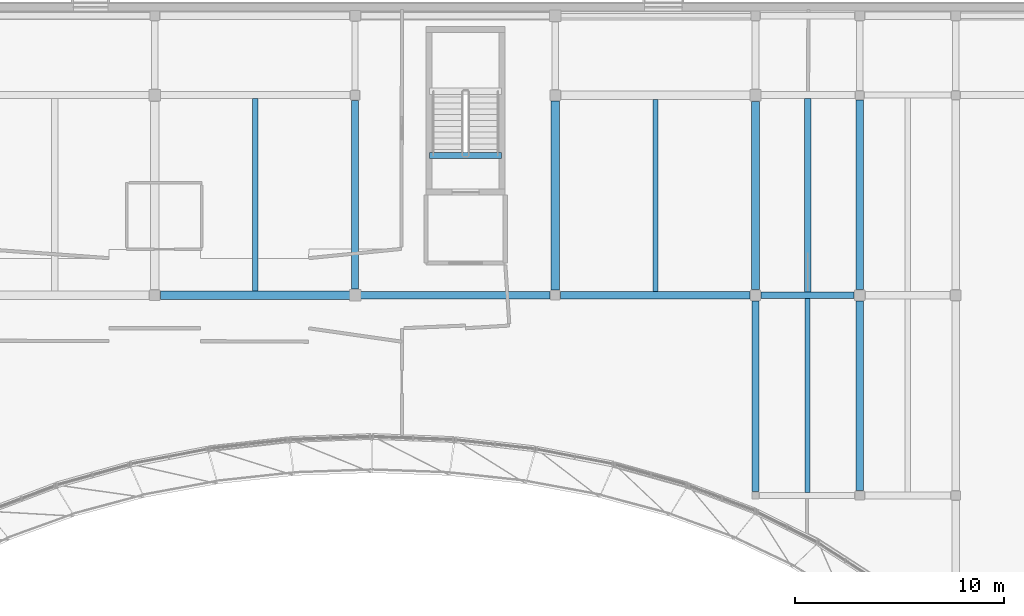
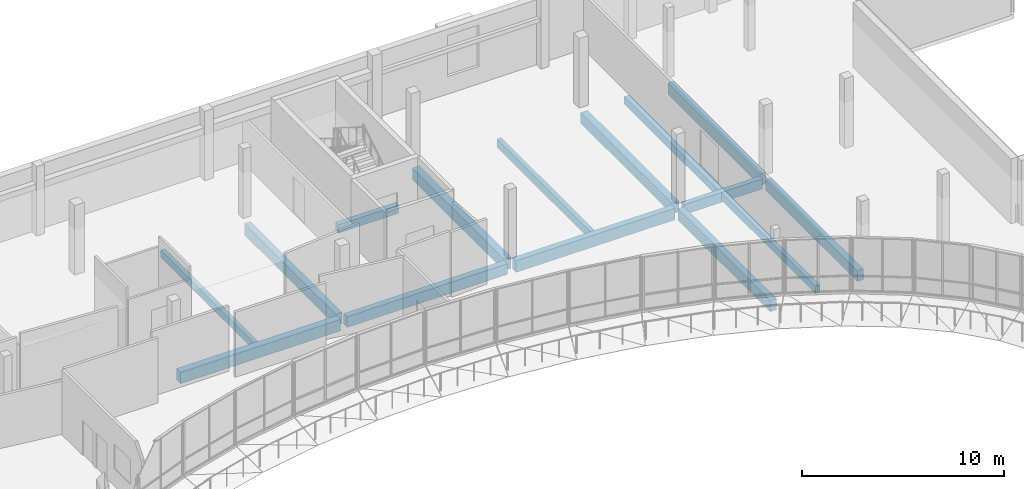
# One storey, part 25 of 73: 15 beams.
"""IFC4 building model written with IfcOpenShell, lengths in metres."""

from ifc_helpers import new_model, si_unit, direction, frame, origin, origin_2d, place, context, subcontext, project, spatial, rectangle, extrude, material, material_profile, profile_set, type_object, element, save


model = new_model("IFC4")

# Units and contexts
model_context = context("Model", 3, precision=1e-05, world=origin(), true_north=direction((0.0, 1.0)))
body_context = subcontext(model_context, "Body", "Model", "MODEL_VIEW")
ifc_project = project(units=[si_unit("LENGTHUNIT", "METRE"), si_unit("AREAUNIT", "SQUARE_METRE"), si_unit("VOLUMEUNIT", "CUBIC_METRE"), si_unit("PLANEANGLEUNIT", "RADIAN"), si_unit("MASSUNIT", "GRAM", prefix="KILO")], contexts=[model_context])

# Site, building, storey
site_placement = place(None, origin())
site = spatial("IfcSite", under=ifc_project, at=site_placement, CompositionType="ELEMENT")
building_placement = place(site_placement, origin())
building = spatial("IfcBuilding", under=site, at=building_placement, Name="Mzevani Central Library", CompositionType="ELEMENT")
storey_placement = place(building_placement, frame((0.0, 0.0, 9.60009765625)))
storey = spatial("IfcBuildingStorey", under=building, at=storey_placement, Name="L02", CompositionType="ELEMENT", Elevation=9.60009765625)

# Beams
ifc_material = material(Name="Concrete C35/45", Category="concrete")
ifc_material_profile_1 = material_profile(ifc_material, rectangle(XDim=0.300048828125, YDim=0.5, at=origin_2d()), Name="RC B300x500")
ifc_profile_set_1 = profile_set([ifc_material_profile_1], Name="Concrete C35/45")
beam_type_1 = type_object("IfcBeamType", Name="Beam RC 300x500", PredefinedType="BEAM", material=ifc_profile_set_1)
beam_1_placement = place(storey_placement, frame((86.780029296875, 106.699951171875, -0.25), z_axis=(1.0, 0.0, 0.0), x_axis=(0.0, 1.0, 0.0)))
element("IfcBeam", 1, at=beam_1_placement, inside=storey, type_object=beam_type_1, Name="L02 Core C3B Atrium East Escape Stair Stair Opening Trimmer Beam", PredefinedType="BEAM", context=body_context, shape_type="SweptSolid", body=[
    extrude(rectangle(XDim=0.300048828125, YDim=0.5, at=origin_2d()), origin(), (0.0, 0.0, 1.0), 3.43994140625),
])
ifc_material_profile_2 = material_profile(ifc_material, rectangle(XDim=0.300048828125, YDim=0.60009765625, at=origin_2d()), Name="RC B300x600")
ifc_profile_set_2 = profile_set([ifc_material_profile_2], Name="Concrete C35/45")
beam_type_2 = type_object("IfcBeamType", Name="Beam RC 300x600", PredefinedType="BEAM", material=ifc_profile_set_2)
beam_2_placement = place(storey_placement, frame((102.675048828125, 100.0, -0.580078125), z_axis=(1.0, 0.0, 0.0), x_axis=(0.0, 1.0, 0.0)))
element("IfcBeam", 2, at=beam_2_placement, inside=storey, type_object=beam_type_2, Name="L02 V3 Girder B-03 (570)", PredefinedType="BEAM", context=body_context, shape_type="SweptSolid", body=[
    extrude(rectangle(XDim=0.300048828125, YDim=0.60009765625, at=origin_2d()), origin(), (0.0, 0.0, 1.0), 4.449951171875),
])
ifc_material_profile_3 = material_profile(ifc_material, rectangle(XDim=0.35009765625, YDim=0.64990234375, at=origin_2d()), Name="RC B350x650")
ifc_profile_set_3 = profile_set([ifc_material_profile_3], Name="Concrete C35/45")
beam_type_3 = type_object("IfcBeamType", Name="Beam RC 350x650", PredefinedType="BEAM", material=ifc_profile_set_3)
beam_3_placement = place(storey_placement, frame((83.39990234375, 100.0, -0.60498046875), z_axis=(1.0, 0.0, 0.0), x_axis=(0.0, 1.0, 0.0)))
element("IfcBeam", 3, at=beam_3_placement, inside=storey, type_object=beam_type_3, Name="L02 V3 Girder B-05 (568)", PredefinedType="BEAM", context=body_context, shape_type="SweptSolid", body=[
    extrude(rectangle(XDim=0.35009765625, YDim=0.64990234375, at=origin_2d()), origin(), (0.0, 0.0, 1.0), 9.150146484375),
])
beam_4_placement = place(storey_placement, frame((107.39990234375, 90.64990234375, -0.60498046875), z_axis=(0.0, 1.0, 0.0), x_axis=(-1.0, 0.0, 0.0)))
element("IfcBeam", 4, at=beam_4_placement, inside=storey, type_object=beam_type_3, Name="L02 V3 Frame Beam B-05 (608)", PredefinedType="BEAM", context=body_context, shape_type="SweptSolid", body=[
    extrude(rectangle(XDim=0.35009765625, YDim=0.64990234375, at=origin_2d()), origin(), (0.0, 0.0, 1.0), 9.0751953125),
])
ifc_material_profile_4 = material_profile(ifc_material, rectangle(XDim=0.35009765625, YDim=0.699951171875, at=origin_2d()), Name="RC B350x700")
ifc_profile_set_4 = profile_set([ifc_material_profile_4], Name="Concrete C35/45")
beam_type_4 = type_object("IfcBeamType", Name="Beam RC 350x700", PredefinedType="BEAM", material=ifc_profile_set_4)
beam_5_placement = place(storey_placement, frame((93.050048828125, 100.0, -0.630126953125), z_axis=(1.0, 0.0, 0.0), x_axis=(0.0, 1.0, 0.0)))
element("IfcBeam", 5, at=beam_5_placement, inside=storey, type_object=beam_type_4, Name="L02 V3 Girder B-06 (569)", PredefinedType="BEAM", context=body_context, shape_type="SweptSolid", body=[
    extrude(rectangle(XDim=0.35009765625, YDim=0.699951171875, at=origin_2d()), origin(), (0.0, 0.0, 1.0), 9.074951171875),
])
beam_6_placement = place(storey_placement, frame((83.199951171875, 100.300048828125, -0.630126953125), z_axis=(0.0, 1.0, 0.0), x_axis=(-1.0, 0.0, 0.0)))
element("IfcBeam", 6, at=beam_6_placement, inside=storey, type_object=beam_type_4, Name="L02 V3 Frame Beam B-06 (601)", PredefinedType="BEAM", context=body_context, shape_type="SweptSolid", body=[
    extrude(rectangle(XDim=0.35009765625, YDim=0.699951171875, at=origin_2d()), origin(), (0.0, 0.0, 1.0), 9.050048828125),
])
beam_7_placement = place(storey_placement, frame((102.39990234375, 90.60009765625, -0.630126953125), z_axis=(0.0, 1.0, 0.0), x_axis=(-1.0, 0.0, 0.0)))
element("IfcBeam", 7, at=beam_7_placement, inside=storey, type_object=beam_type_4, Name="L02 V3 Frame Beam B-06 (605)", PredefinedType="BEAM", context=body_context, shape_type="SweptSolid", body=[
    extrude(rectangle(XDim=0.35009765625, YDim=0.699951171875, at=origin_2d()), origin(), (0.0, 0.0, 1.0), 9.125),
])
beam_8_placement = place(storey_placement, frame((107.39990234375, 100.27490234375, -0.630126953125), z_axis=(0.0, 1.0, 0.0), x_axis=(-1.0, 0.0, 0.0)))
element("IfcBeam", 8, at=beam_8_placement, inside=storey, type_object=beam_type_4, Name="L02 V3 Frame Beam B-06 (609)", PredefinedType="BEAM", context=body_context, shape_type="SweptSolid", body=[
    extrude(rectangle(XDim=0.35009765625, YDim=0.699951171875, at=origin_2d()), origin(), (0.0, 0.0, 1.0), 9.10009765625),
])
ifc_material_profile_5 = material_profile(ifc_material, rectangle(XDim=0.39990234375, YDim=0.64990234375, at=origin_2d()), Name="RC B400x650")
ifc_profile_set_5 = profile_set([ifc_material_profile_5], Name="Concrete C35/45")
beam_type_5 = type_object("IfcBeamType", Name="Beam RC 400x650", PredefinedType="BEAM", material=ifc_profile_set_5)
beam_9_placement = place(storey_placement, frame((102.39990234375, 100.27490234375, -0.60498046875), z_axis=(0.0, 1.0, 0.0), x_axis=(-1.0, 0.0, 0.0)))
element("IfcBeam", 9, at=beam_9_placement, inside=storey, type_object=beam_type_5, Name="L02 V3 Frame Beam B-07 (606)", PredefinedType="BEAM", context=body_context, shape_type="SweptSolid", body=[
    extrude(rectangle(XDim=0.39990234375, YDim=0.64990234375, at=origin_2d()), origin(), (0.0, 0.0, 1.0), 9.025146484375),
])
ifc_material_profile_6 = material_profile(ifc_material, rectangle(XDim=0.39990234375, YDim=0.699951171875, at=origin_2d()), Name="RC B400x700")
ifc_profile_set_6 = profile_set([ifc_material_profile_6], Name="Concrete C35/45")
beam_type_6 = type_object("IfcBeamType", Name="Beam RC 400x700", PredefinedType="BEAM", material=ifc_profile_set_6)
beam_10_placement = place(storey_placement, frame((73.875, 100.0, -0.630126953125), z_axis=(1.0, 0.0, 0.0), x_axis=(0.0, 1.0, 0.0)))
element("IfcBeam", 10, at=beam_10_placement, inside=storey, type_object=beam_type_6, Name="L02 V3 Girder B-08 (567)", PredefinedType="BEAM", context=body_context, shape_type="SweptSolid", body=[
    extrude(rectangle(XDim=0.39990234375, YDim=0.699951171875, at=origin_2d()), origin(), (0.0, 0.0, 1.0), 9.125),
])
beam_11_placement = place(storey_placement, frame((92.800048828125, 100.25, -0.630126953125), z_axis=(0.0, 1.0, 0.0), x_axis=(-1.0, 0.0, 0.0)))
element("IfcBeam", 11, at=beam_11_placement, inside=storey, type_object=beam_type_6, Name="L02 V3 Frame Beam B-08 (603)", PredefinedType="BEAM", context=body_context, shape_type="SweptSolid", body=[
    extrude(rectangle(XDim=0.39990234375, YDim=0.699951171875, at=origin_2d()), origin(), (0.0, 0.0, 1.0), 9.074951171875),
])
ifc_material_profile_7 = material_profile(ifc_material, rectangle(XDim=0.25, YDim=0.449951171875, at=origin_2d()), Name="RC J250x450")
ifc_profile_set_7 = profile_set([ifc_material_profile_7], Name="Concrete C35/45")
beam_type_7 = type_object("IfcBeamType", Name="Floor Joist RC 250x450", PredefinedType="JOIST", material=ifc_profile_set_7)
beam_12_placement = place(storey_placement, frame((104.89990234375, 90.550048828125, -0.505126953125), z_axis=(0.0, 1.0, 0.0), x_axis=(-1.0, 0.0, 0.0)))
element("IfcBeam", 12, at=beam_12_placement, inside=storey, type_object=beam_type_7, Name="L02 V3 Floor Joist BJ-01 (624)", PredefinedType="JOIST", context=body_context, shape_type="SweptSolid", body=[
    extrude(rectangle(XDim=0.25, YDim=0.449951171875, at=origin_2d()), origin(), (0.0, 0.0, 1.0), 9.300048828125),
])
beam_13_placement = place(storey_placement, frame((78.41259765625, 100.199951171875, -0.505126953125), z_axis=(0.0, 1.0, 0.0), x_axis=(-1.0, 0.0, 0.0)))
element("IfcBeam", 13, at=beam_13_placement, inside=storey, type_object=beam_type_7, Name="L02 V3 Floor Joist BJ-01 (627)", PredefinedType="JOIST", context=body_context, shape_type="SweptSolid", body=[
    extrude(rectangle(XDim=0.25, YDim=0.449951171875, at=origin_2d()), origin(), (0.0, 0.0, 1.0), 9.22509765625),
])
ifc_material_profile_8 = material_profile(ifc_material, rectangle(XDim=0.25, YDim=0.5, at=origin_2d()), Name="RC J250x500")
ifc_profile_set_8 = profile_set([ifc_material_profile_8], Name="Concrete C35/45")
beam_type_8 = type_object("IfcBeamType", Name="Floor Joist RC 250x500", PredefinedType="JOIST", material=ifc_profile_set_8)
beam_14_placement = place(storey_placement, frame((97.60009765625, 100.175048828125, -0.530029296875), z_axis=(0.0, 1.0, 0.0), x_axis=(-1.0, 0.0, 0.0)))
element("IfcBeam", 14, at=beam_14_placement, inside=storey, type_object=beam_type_8, Name="L02 V3 Floor Joist BJ-02 (628)", PredefinedType="JOIST", context=body_context, shape_type="SweptSolid", body=[
    extrude(rectangle(XDim=0.25, YDim=0.5, at=origin_2d()), origin(), (0.0, 0.0, 1.0), 9.224853515625),
])
ifc_material_profile_9 = material_profile(ifc_material, rectangle(XDim=0.300048828125, YDim=0.449951171875, at=origin_2d()), Name="RC J300x450")
ifc_profile_set_9 = profile_set([ifc_material_profile_9], Name="Concrete C35/45")
beam_type_9 = type_object("IfcBeamType", Name="Floor Joist RC 300x450", PredefinedType="JOIST", material=ifc_profile_set_9)
beam_15_placement = place(storey_placement, frame((104.89990234375, 100.14990234375, -0.505126953125), z_axis=(0.0, 1.0, 0.0), x_axis=(-1.0, 0.0, 0.0)))
element("IfcBeam", 15, at=beam_15_placement, inside=storey, type_object=beam_type_9, Name="L02 V3 Floor Joist BJ-03 (629)", PredefinedType="JOIST", context=body_context, shape_type="SweptSolid", body=[
    extrude(rectangle(XDim=0.300048828125, YDim=0.449951171875, at=origin_2d()), origin(), (0.0, 0.0, 1.0), 9.275146484375),
])

save(model, "model.ifc")
